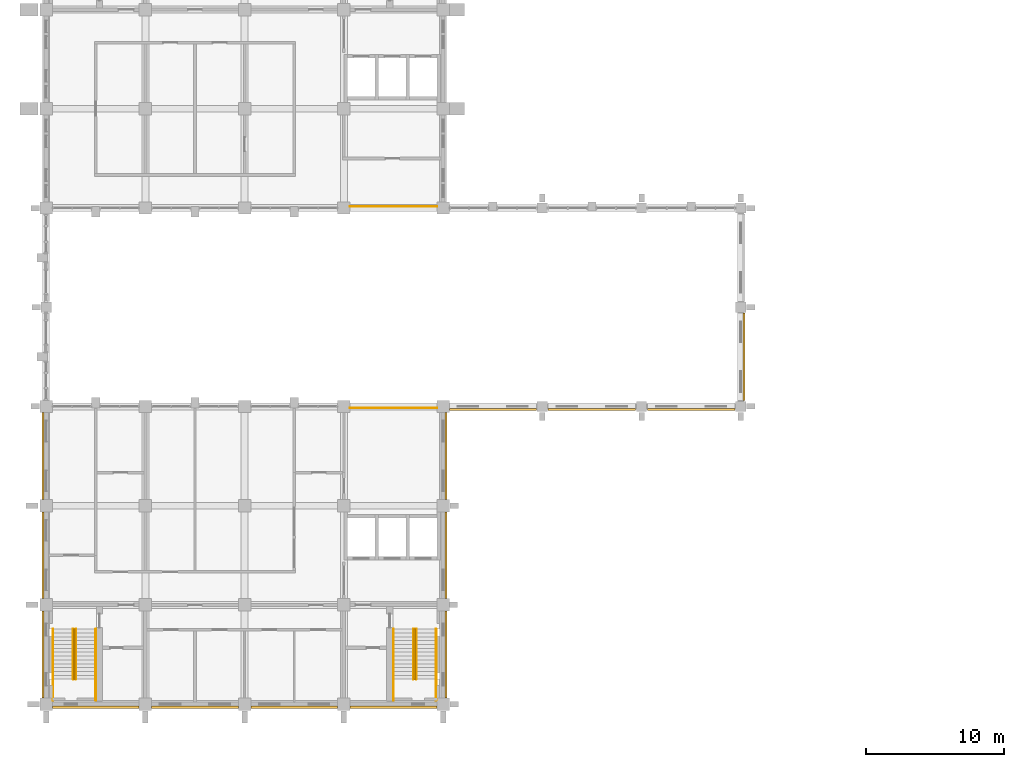
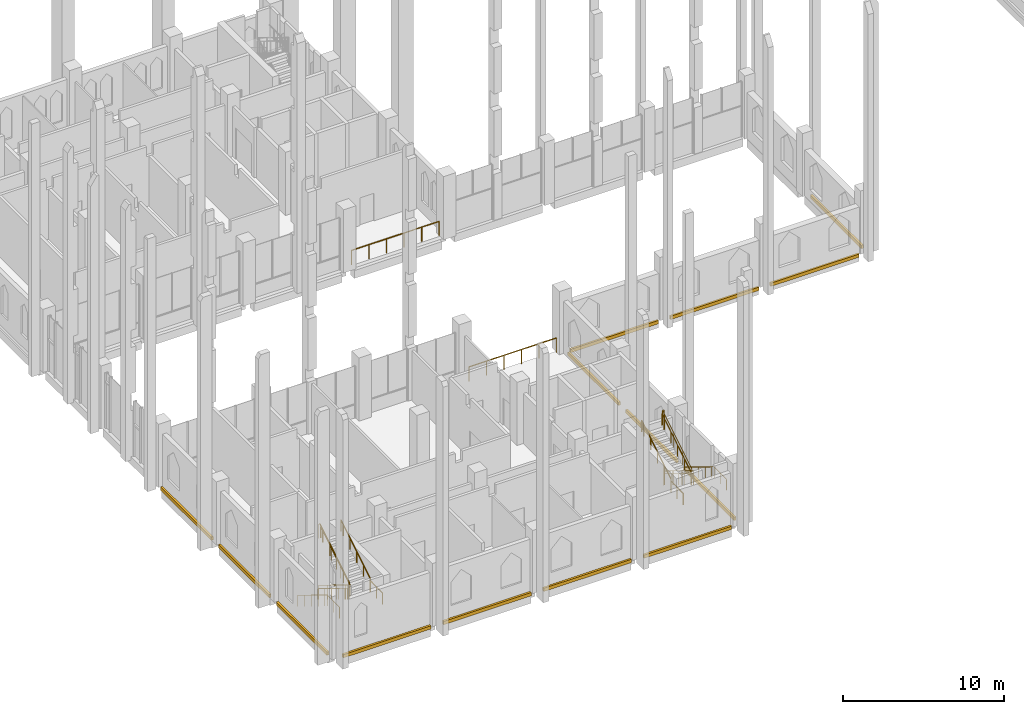
# One storey, part 38 of 40: 14 coverings, 12 railings.
"""IFC4 building model written with IfcOpenShell, lengths in metres."""

from ifc_helpers import new_model, si_unit, direction, frame, origin, origin_2d, place, context, subcontext, project, spatial, rectangle, circle, extrude, material, type_object, element, save


model = new_model("IFC4")

# Units and contexts
model_context = context("Model", 3, precision=1e-05, world=origin(), true_north=direction((0.0, 1.0)))
body_context = subcontext(model_context, "Body", "Model", "MODEL_VIEW")
ifc_project = project(units=[si_unit("LENGTHUNIT", "METRE"), si_unit("AREAUNIT", "SQUARE_METRE"), si_unit("VOLUMEUNIT", "CUBIC_METRE"), si_unit("PLANEANGLEUNIT", "RADIAN"), si_unit("MASSUNIT", "GRAM", prefix="KILO")], contexts=[model_context])

# Site, building, storey
site_placement = place(None, origin())
site = spatial("IfcSite", under=ifc_project, at=site_placement, CompositionType="ELEMENT")
building_placement = place(site_placement, origin())
building = spatial("IfcBuilding", under=site, at=building_placement, Name="Silangan Lancet Faculty of Sciences", CompositionType="ELEMENT")
storey_placement = place(building_placement, frame((0.0, 0.0, 21.60009765625)))
storey = spatial("IfcBuildingStorey", under=building, at=storey_placement, Name="L04", CompositionType="ELEMENT", Elevation=21.60009765625)

# Railings
ifc_material_1 = material(Name="Steel balustrade", Category="steel")
railing_type_1 = type_object("IfcRailingType", Name="ATRIUM GUARD 1100", PredefinedType="GUARDRAIL", material=ifc_material_1)
for number, where, name in (
    (1, (22.050048828125, 21.5, 0.0), "GUARD-ATR-L04-S7"),
    (2, (22.050048828125, 36.10009765625, 0.0), "GUARD-ATR-L04-N8"),
):
    element("IfcRailing", number, at=place(storey_placement, frame(where)), inside=storey, type_object=railing_type_1, Name=name, PredefinedType="GUARDRAIL", context=body_context, shape_type="SweptSolid", body=[
        extrude(circle(Radius=0.02392578125, at=origin_2d()), frame((0.0, 0.0, 1.076171875), z_axis=(1.0, 0.0, 0.0), x_axis=(0.0, 1.0, 0.0)), (0.0, 0.0, 1.0), 6.300048828125),
        extrude(circle(Radius=0.02099609375, at=origin_2d()), origin(), (0.0, 0.0, 1.0), 1.052001953125),
        extrude(circle(Radius=0.02099609375, at=origin_2d()), frame((1.260009765625, 0.0, 0.0)), (0.0, 0.0, 1.0), 1.052001953125),
        extrude(circle(Radius=0.02099609375, at=origin_2d()), frame((2.52001953125, 0.0, 0.0)), (0.0, 0.0, 1.0), 1.052001953125),
        extrude(circle(Radius=0.02099609375, at=origin_2d()), frame((3.780029296875, 0.0, 0.0)), (0.0, 0.0, 1.0), 1.052001953125),
        extrude(circle(Radius=0.02099609375, at=origin_2d()), frame((5.0400390625, 0.0, 0.0)), (0.0, 0.0, 1.0), 1.052001953125),
        extrude(circle(Radius=0.02099609375, at=origin_2d()), frame((6.300048828125, 0.0, 0.0)), (0.0, 0.0, 1.0), 1.052001953125),
    ])

# Coverings
ifc_material_2 = material(Name="Concrete C40/50 precast", Category="concrete")
covering_type = type_object("IfcCoveringType", Name="SC1 Precast string course 250 x 150", PredefinedType="CLADDING", material=ifc_material_2)
covering_1_placement = place(storey_placement, frame((50.625, 25.199951171875, -0.25), z_axis=(0.0, 0.0, 1.0), x_axis=(1.0, 0.0, 0.0)))
element("IfcCovering", 3, at=covering_1_placement, inside=storey, type_object=covering_type, Name="SC-L04-E-NAVE-00", PredefinedType="CLADDING", context=body_context, shape_type="SweptSolid", body=[
    extrude(rectangle(XDim=0.14990234375, YDim=6.35009765625, at=origin_2d()), origin(), (0.0, 0.0, 1.0), 0.25),
])
for number, where, z_axis, x_axis, name in (
    (4, (29.02490234375, 3.60009765625, -0.25), (0.0, 0.0, 1.0), (1.0, 0.0, 0.0), "SC-L04-E-ST-00"),
    (5, (29.02490234375, 10.800048828125, -0.25), (0.0, 0.0, 1.0), (1.0, 0.0, 0.0), "SC-L04-E-ST-01"),
    (6, (29.02490234375, 18.0, -0.25), (0.0, 0.0, 1.0), (1.0, 0.0, 0.0), "SC-L04-E-ST-02"),
):
    element("IfcCovering", number, at=place(storey_placement, frame(where, z_axis=z_axis, x_axis=x_axis)), inside=storey, type_object=covering_type, Name=name, PredefinedType="CLADDING", context=body_context, shape_type="SweptSolid", body=[
        extrude(rectangle(XDim=0.14990234375, YDim=6.300048828125, at=origin_2d()), origin(), (0.0, 0.0, 1.0), 0.25),
    ])
covering_2_placement = place(storey_placement, frame((32.41259765625, 21.375, -0.25), z_axis=(0.0, 0.0, 1.0), x_axis=(1.0, 0.0, 0.0)))
element("IfcCovering", 7, at=covering_2_placement, inside=storey, type_object=covering_type, Name="SC-L04-S-NAVE-CL-00", PredefinedType="CLADDING", context=body_context, shape_type="SweptSolid", body=[
    extrude(rectangle(XDim=6.324951171875, YDim=0.14990234375, at=origin_2d()), origin(), (0.0, 0.0, 1.0), 0.25),
])
for number, where, z_axis, x_axis, name in (
    (8, (39.60009765625, 21.375, -0.25), (0.0, 0.0, 1.0), (1.0, 0.0, 0.0), "SC-L04-S-NAVE-CL-01"),
    (9, (46.800048828125, 21.375, -0.25), (0.0, 0.0, 1.0), (1.0, 0.0, 0.0), "SC-L04-S-NAVE-CL-02"),
):
    element("IfcCovering", number, at=place(storey_placement, frame(where, z_axis=z_axis, x_axis=x_axis)), inside=storey, type_object=covering_type, Name=name, PredefinedType="CLADDING", context=body_context, shape_type="SweptSolid", body=[
        extrude(rectangle(XDim=6.35009765625, YDim=0.14990234375, at=origin_2d()), origin(), (0.0, 0.0, 1.0), 0.25),
    ])
for number, where, z_axis, x_axis, name in (
    (10, (3.60009765625, -0.22509765625, -0.25), (0.0, 0.0, 1.0), (1.0, 0.0, 0.0), "SC-L04-S-ST-00"),
    (11, (10.800048828125, -0.22509765625, -0.25), (0.0, 0.0, 1.0), (1.0, 0.0, 0.0), "SC-L04-S-ST-01"),
    (12, (18.0, -0.22509765625, -0.25), (0.0, 0.0, 1.0), (1.0, 0.0, 0.0), "SC-L04-S-ST-02"),
    (13, (25.199951171875, -0.22509765625, -0.25), (0.0, 0.0, 1.0), (1.0, 0.0, 0.0), "SC-L04-S-ST-03"),
):
    element("IfcCovering", number, at=place(storey_placement, frame(where, z_axis=z_axis, x_axis=x_axis)), inside=storey, type_object=covering_type, Name=name, PredefinedType="CLADDING", context=body_context, shape_type="SweptSolid", body=[
        extrude(rectangle(XDim=6.300048828125, YDim=0.14990234375, at=origin_2d()), origin(), (0.0, 0.0, 1.0), 0.25),
    ])
for number, where, z_axis, x_axis, name in (
    (14, (-0.22509765625, 3.60009765625, -0.25), (0.0, 0.0, 1.0), (1.0, 0.0, 0.0), "SC-L04-W-ST-00"),
    (15, (-0.22509765625, 10.800048828125, -0.25), (0.0, 0.0, 1.0), (1.0, 0.0, 0.0), "SC-L04-W-ST-01"),
    (16, (-0.22509765625, 18.0, -0.25), (0.0, 0.0, 1.0), (1.0, 0.0, 0.0), "SC-L04-W-ST-02"),
):
    element("IfcCovering", number, at=place(storey_placement, frame(where, z_axis=z_axis, x_axis=x_axis)), inside=storey, type_object=covering_type, Name=name, PredefinedType="CLADDING", context=body_context, shape_type="SweptSolid", body=[
        extrude(rectangle(XDim=0.14990234375, YDim=6.300048828125, at=origin_2d()), origin(), (0.0, 0.0, 1.0), 0.25),
    ])

# Railings
ifc_material_3 = material(Name="Steel balustrade", Category="steel")
railing_type_2 = type_object("IfcRailingType", Name="STAIR GUARD 1100", PredefinedType="GUARDRAIL", material=ifc_material_3)
railing_1_placement = place(storey_placement, frame((2.0, 5.449951171875, 0.17138671875)))
element("IfcRailing", 17, at=railing_1_placement, inside=storey, type_object=railing_type_2, Name="GUARD-ST-A-L04", PredefinedType="GUARDRAIL", context=body_context, shape_type="SweptSolid", body=[
    extrude(circle(Radius=0.02392578125, at=origin_2d()), frame((0.0, 0.0, 1.076171875), z_axis=(0.0, -0.852881719064, 0.522104178577), x_axis=(1.0, 0.0, 0.0)), (0.0, 0.0, 1.0), 1.31298828125),
    extrude(circle(Radius=0.02392578125, at=origin_2d()), frame((0.0, -1.119873046875, 1.76171875), z_axis=(0.0, -0.852849614702, 0.52215661894), x_axis=(1.0, 0.0, 0.0)), (0.0, 0.0, 1.0), 1.3134765625),
    extrude(circle(Radius=0.02392578125, at=origin_2d()), frame((0.0, -2.239990234375, 2.447265625), z_axis=(0.0, -0.852798921012, 0.522239409008), x_axis=(1.0, 0.0, 0.0)), (0.0, 0.0, 1.0), 1.313232421875),
    extrude(circle(Radius=0.02392578125, at=origin_2d()), frame((0.0, -3.35986328125, 3.13330078125), z_axis=(0.0, -0.852932391421, 0.522021393877), x_axis=(1.0, 0.0, 0.0)), (0.0, 0.0, 1.0), 0.328369140625),
    extrude(circle(Radius=0.02392578125, at=origin_2d()), frame((0.0, -3.639892578125, 3.3046875), z_axis=(1.0, 0.0, 0.0), x_axis=(0.0, 1.0, 0.0)), (0.0, 0.0, 1.0), 0.10009765625),
    extrude(circle(Radius=0.02392578125, at=origin_2d()), frame((0.10009765625, -3.639892578125, 3.3046875), z_axis=(0.0, 0.0, 1.0), x_axis=(1.0, 0.0, 0.0)), (0.0, 0.0, 1.0), 0.17138671875),
    extrude(circle(Radius=0.02392578125, at=origin_2d()), frame((0.10009765625, -3.639892578125, 3.47607421875), z_axis=(0.0, 0.852798921012, 0.522239409008), x_axis=(-1.0, 0.0, 0.0)), (0.0, 0.0, 1.0), 1.313232421875),
    extrude(circle(Radius=0.02392578125, at=origin_2d()), frame((0.10009765625, -2.52001953125, 4.16162109375), z_axis=(0.0, 0.852849614702, 0.52215661894), x_axis=(-1.0, 0.0, 0.0)), (0.0, 0.0, 1.0), 1.3134765625),
    extrude(circle(Radius=0.02392578125, at=origin_2d()), frame((0.10009765625, -1.39990234375, 4.84765625), z_axis=(0.0, 0.852881719064, 0.522104178577), x_axis=(-1.0, 0.0, 0.0)), (0.0, 0.0, 1.0), 1.31298828125),
    extrude(circle(Radius=0.02392578125, at=origin_2d()), frame((0.10009765625, -0.280029296875, 5.533203125), z_axis=(0.0, 0.852932391421, 0.522021393877), x_axis=(-1.0, 0.0, 0.0)), (0.0, 0.0, 1.0), 0.328369140625),
    extrude(circle(Radius=0.02392578125, at=origin_2d()), frame((0.10009765625, 0.0, 5.70458984375), z_axis=(-1.0, 0.0, 0.0), x_axis=(0.0, -1.0, 0.0)), (0.0, 0.0, 1.0), 0.10009765625),
    extrude(circle(Radius=0.02099609375, at=origin_2d()), origin(), (0.0, 0.0, 1.0), 1.052001953125),
    extrude(circle(Radius=0.02099609375, at=origin_2d()), frame((0.0, -1.119873046875, 0.685546875)), (0.0, 0.0, 1.0), 1.052001953125),
    extrude(circle(Radius=0.02099609375, at=origin_2d()), frame((0.0, -2.239990234375, 1.371337890625)), (0.0, 0.0, 1.0), 1.052001953125),
    extrude(circle(Radius=0.02099609375, at=origin_2d()), frame((0.0, -3.35986328125, 2.05712890625)), (0.0, 0.0, 1.0), 1.052001953125),
    extrude(circle(Radius=0.02099609375, at=origin_2d()), frame((0.0, -3.639892578125, 2.228515625)), (0.0, 0.0, 1.0), 1.052001953125),
    extrude(circle(Radius=0.02099609375, at=origin_2d()), frame((0.10009765625, -3.639892578125, 2.228515625)), (0.0, 0.0, 1.0), 1.052001953125),
    extrude(circle(Radius=0.02099609375, at=origin_2d()), frame((0.10009765625, -3.639892578125, 2.39990234375)), (0.0, 0.0, 1.0), 1.052001953125),
    extrude(circle(Radius=0.02099609375, at=origin_2d()), frame((0.10009765625, -2.52001953125, 3.085693359375)), (0.0, 0.0, 1.0), 1.052001953125),
    extrude(circle(Radius=0.02099609375, at=origin_2d()), frame((0.10009765625, -1.39990234375, 3.771484375)), (0.0, 0.0, 1.0), 1.052001953125),
    extrude(circle(Radius=0.02099609375, at=origin_2d()), frame((0.10009765625, -0.280029296875, 4.45703125)), (0.0, 0.0, 1.0), 1.052001953125),
    extrude(circle(Radius=0.02099609375, at=origin_2d()), frame((0.10009765625, 0.0, 4.62841796875)), (0.0, 0.0, 1.0), 1.052001953125),
    extrude(circle(Radius=0.02099609375, at=origin_2d()), frame((0.0, 0.0, 4.62841796875)), (0.0, 0.0, 1.0), 1.052001953125),
])
railing_2_placement = place(storey_placement, frame((26.800048828125, 5.449951171875, 0.17138671875)))
element("IfcRailing", 18, at=railing_2_placement, inside=storey, type_object=railing_type_2, Name="GUARD-ST-B-L04", PredefinedType="GUARDRAIL", context=body_context, shape_type="SweptSolid", body=[
    extrude(circle(Radius=0.02392578125, at=origin_2d()), frame((0.0, 0.0, 1.076171875), z_axis=(0.0, -0.852881719064, 0.522104178577), x_axis=(1.0, 0.0, 0.0)), (0.0, 0.0, 1.0), 1.31298828125),
    extrude(circle(Radius=0.02392578125, at=origin_2d()), frame((0.0, -1.119873046875, 1.76171875), z_axis=(0.0, -0.852849614702, 0.52215661894), x_axis=(1.0, 0.0, 0.0)), (0.0, 0.0, 1.0), 1.3134765625),
    extrude(circle(Radius=0.02392578125, at=origin_2d()), frame((0.0, -2.239990234375, 2.447265625), z_axis=(0.0, -0.852798921012, 0.522239409008), x_axis=(1.0, 0.0, 0.0)), (0.0, 0.0, 1.0), 1.313232421875),
    extrude(circle(Radius=0.02392578125, at=origin_2d()), frame((0.0, -3.35986328125, 3.13330078125), z_axis=(0.0, -0.852932391421, 0.522021393877), x_axis=(1.0, 0.0, 0.0)), (0.0, 0.0, 1.0), 0.328369140625),
    extrude(circle(Radius=0.02392578125, at=origin_2d()), frame((0.0, -3.639892578125, 3.3046875), z_axis=(-1.0, 0.0, 0.0), x_axis=(0.0, -1.0, 0.0)), (0.0, 0.0, 1.0), 0.10009765625),
    extrude(circle(Radius=0.02392578125, at=origin_2d()), frame((-0.10009765625, -3.639892578125, 3.3046875), z_axis=(0.0, 0.0, 1.0), x_axis=(1.0, 0.0, 0.0)), (0.0, 0.0, 1.0), 0.17138671875),
    extrude(circle(Radius=0.02392578125, at=origin_2d()), frame((-0.10009765625, -3.639892578125, 3.47607421875), z_axis=(0.0, 0.852798921012, 0.522239409008), x_axis=(-1.0, 0.0, 0.0)), (0.0, 0.0, 1.0), 1.313232421875),
    extrude(circle(Radius=0.02392578125, at=origin_2d()), frame((-0.10009765625, -2.52001953125, 4.16162109375), z_axis=(0.0, 0.852849614702, 0.52215661894), x_axis=(-1.0, 0.0, 0.0)), (0.0, 0.0, 1.0), 1.3134765625),
    extrude(circle(Radius=0.02392578125, at=origin_2d()), frame((-0.10009765625, -1.39990234375, 4.84765625), z_axis=(0.0, 0.852881719064, 0.522104178577), x_axis=(-1.0, 0.0, 0.0)), (0.0, 0.0, 1.0), 1.31298828125),
    extrude(circle(Radius=0.02392578125, at=origin_2d()), frame((-0.10009765625, -0.280029296875, 5.533203125), z_axis=(0.0, 0.852932391421, 0.522021393877), x_axis=(-1.0, 0.0, 0.0)), (0.0, 0.0, 1.0), 0.328369140625),
    extrude(circle(Radius=0.02392578125, at=origin_2d()), frame((-0.10009765625, 0.0, 5.70458984375), z_axis=(1.0, 0.0, 0.0), x_axis=(0.0, 1.0, 0.0)), (0.0, 0.0, 1.0), 0.10009765625),
    extrude(circle(Radius=0.02099609375, at=origin_2d()), origin(), (0.0, 0.0, 1.0), 1.052001953125),
    extrude(circle(Radius=0.02099609375, at=origin_2d()), frame((0.0, -1.119873046875, 0.685546875)), (0.0, 0.0, 1.0), 1.052001953125),
    extrude(circle(Radius=0.02099609375, at=origin_2d()), frame((0.0, -2.239990234375, 1.371337890625)), (0.0, 0.0, 1.0), 1.052001953125),
    extrude(circle(Radius=0.02099609375, at=origin_2d()), frame((0.0, -3.35986328125, 2.05712890625)), (0.0, 0.0, 1.0), 1.052001953125),
    extrude(circle(Radius=0.02099609375, at=origin_2d()), frame((0.0, -3.639892578125, 2.228515625)), (0.0, 0.0, 1.0), 1.052001953125),
    extrude(circle(Radius=0.02099609375, at=origin_2d()), frame((-0.10009765625, -3.639892578125, 2.228515625)), (0.0, 0.0, 1.0), 1.052001953125),
    extrude(circle(Radius=0.02099609375, at=origin_2d()), frame((-0.10009765625, -3.639892578125, 2.39990234375)), (0.0, 0.0, 1.0), 1.052001953125),
    extrude(circle(Radius=0.02099609375, at=origin_2d()), frame((-0.10009765625, -2.52001953125, 3.085693359375)), (0.0, 0.0, 1.0), 1.052001953125),
    extrude(circle(Radius=0.02099609375, at=origin_2d()), frame((-0.10009765625, -1.39990234375, 3.771484375)), (0.0, 0.0, 1.0), 1.052001953125),
    extrude(circle(Radius=0.02099609375, at=origin_2d()), frame((-0.10009765625, -0.280029296875, 4.45703125)), (0.0, 0.0, 1.0), 1.052001953125),
    extrude(circle(Radius=0.02099609375, at=origin_2d()), frame((-0.10009765625, 0.0, 4.62841796875)), (0.0, 0.0, 1.0), 1.052001953125),
    extrude(circle(Radius=0.02099609375, at=origin_2d()), frame((0.0, 0.0, 4.62841796875)), (0.0, 0.0, 1.0), 1.052001953125),
])
ifc_material_4 = material(Name="Stainless steel", Category="steel")
railing_type_3 = type_object("IfcRailingType", Name="STAIR HANDRAIL 865", PredefinedType="HANDRAIL", material=ifc_material_4)
railing_3_placement = place(storey_placement, frame((0.5, 5.449951171875, 0.17138671875)))
element("IfcRailing", 19, at=railing_3_placement, inside=storey, type_object=railing_type_3, Name="HANDRAIL-ST-A-L04-O1", PredefinedType="HANDRAIL", context=body_context, shape_type="SweptSolid", body=[
    extrude(circle(Radius=0.02392578125, at=origin_2d()), frame((0.0, 0.0, 0.8408203125), z_axis=(0.0, -0.85286482292, 0.522131778218), x_axis=(1.0, 0.0, 0.0)), (0.0, 0.0, 1.0), 0.984619140625),
    extrude(circle(Radius=0.02392578125, at=origin_2d()), frame((0.0, -0.83984375, 1.35498046875), z_axis=(0.0, -0.852822021269, 0.522201685212), x_axis=(1.0, 0.0, 0.0)), (0.0, 0.0, 1.0), 0.985107421875),
    extrude(circle(Radius=0.02392578125, at=origin_2d()), frame((0.0, -1.679931640625, 1.86962890625), z_axis=(0.0, -0.852932391421, 0.522021393877), x_axis=(1.0, 0.0, 0.0)), (0.0, 0.0, 1.0), 0.98486328125),
    extrude(circle(Radius=0.02392578125, at=origin_2d()), frame((0.0, -2.52001953125, 2.3837890625), z_axis=(0.0, -0.852754414843, 0.522312079092), x_axis=(1.0, 0.0, 0.0)), (0.0, 0.0, 1.0), 0.98486328125),
    extrude(circle(Radius=0.02392578125, at=origin_2d()), frame((0.0, -3.35986328125, 2.89794921875), z_axis=(0.0, -0.852932391421, 0.522021393877), x_axis=(1.0, 0.0, 0.0)), (0.0, 0.0, 1.0), 0.328369140625),
    extrude(circle(Radius=0.02392578125, at=origin_2d()), frame((0.0, -3.639892578125, 3.0693359375), z_axis=(0.0, -1.0, 0.0), x_axis=(1.0, 0.0, 0.0)), (0.0, 0.0, 1.0), 1.53515625),
    extrude(circle(Radius=0.02099609375, at=origin_2d()), origin(), (0.0, 0.0, 1.0), 0.81689453125),
    extrude(circle(Radius=0.02099609375, at=origin_2d()), frame((0.0, -0.83984375, 0.51416015625)), (0.0, 0.0, 1.0), 0.81689453125),
    extrude(circle(Radius=0.02099609375, at=origin_2d()), frame((0.0, -1.679931640625, 1.028564453125)), (0.0, 0.0, 1.0), 0.81689453125),
    extrude(circle(Radius=0.02099609375, at=origin_2d()), frame((0.0, -2.52001953125, 1.542724609375)), (0.0, 0.0, 1.0), 0.81689453125),
    extrude(circle(Radius=0.02099609375, at=origin_2d()), frame((0.0, -3.35986328125, 2.05712890625)), (0.0, 0.0, 1.0), 0.81689453125),
    extrude(circle(Radius=0.02099609375, at=origin_2d()), frame((0.0, -3.639892578125, 2.228515625)), (0.0, 0.0, 1.0), 0.81689453125),
    extrude(circle(Radius=0.02099609375, at=origin_2d()), frame((0.0, -4.407470703125, 2.228515625)), (0.0, 0.0, 1.0), 0.81689453125),
    extrude(circle(Radius=0.02099609375, at=origin_2d()), frame((0.0, -5.175048828125, 2.228515625)), (0.0, 0.0, 1.0), 0.81689453125),
])
railing_4_placement = place(storey_placement, frame((1.949951171875, 5.449951171875, 0.17138671875)))
element("IfcRailing", 20, at=railing_4_placement, inside=storey, type_object=railing_type_3, Name="HANDRAIL-ST-A-L04-I1", PredefinedType="HANDRAIL", context=body_context, shape_type="SweptSolid", body=[
    extrude(circle(Radius=0.02392578125, at=origin_2d()), frame((0.0, 0.0, 0.8408203125), z_axis=(0.0, -0.85286482292, 0.522131778218), x_axis=(1.0, 0.0, 0.0)), (0.0, 0.0, 1.0), 0.984619140625),
    extrude(circle(Radius=0.02392578125, at=origin_2d()), frame((0.0, -0.83984375, 1.35498046875), z_axis=(0.0, -0.852822021269, 0.522201685212), x_axis=(1.0, 0.0, 0.0)), (0.0, 0.0, 1.0), 0.985107421875),
    extrude(circle(Radius=0.02392578125, at=origin_2d()), frame((0.0, -1.679931640625, 1.86962890625), z_axis=(0.0, -0.852932391421, 0.522021393877), x_axis=(1.0, 0.0, 0.0)), (0.0, 0.0, 1.0), 0.98486328125),
    extrude(circle(Radius=0.02392578125, at=origin_2d()), frame((0.0, -2.52001953125, 2.3837890625), z_axis=(0.0, -0.852754414843, 0.522312079092), x_axis=(1.0, 0.0, 0.0)), (0.0, 0.0, 1.0), 0.98486328125),
    extrude(circle(Radius=0.02392578125, at=origin_2d()), frame((0.0, -3.35986328125, 2.89794921875), z_axis=(0.0, -0.852932391421, 0.522021393877), x_axis=(1.0, 0.0, 0.0)), (0.0, 0.0, 1.0), 0.328369140625),
    extrude(circle(Radius=0.02099609375, at=origin_2d()), origin(), (0.0, 0.0, 1.0), 0.81689453125),
    extrude(circle(Radius=0.02099609375, at=origin_2d()), frame((0.0, -0.83984375, 0.51416015625)), (0.0, 0.0, 1.0), 0.81689453125),
    extrude(circle(Radius=0.02099609375, at=origin_2d()), frame((0.0, -1.679931640625, 1.028564453125)), (0.0, 0.0, 1.0), 0.81689453125),
    extrude(circle(Radius=0.02099609375, at=origin_2d()), frame((0.0, -2.52001953125, 1.542724609375)), (0.0, 0.0, 1.0), 0.81689453125),
    extrude(circle(Radius=0.02099609375, at=origin_2d()), frame((0.0, -3.35986328125, 2.05712890625)), (0.0, 0.0, 1.0), 0.81689453125),
    extrude(circle(Radius=0.02099609375, at=origin_2d()), frame((0.0, -3.639892578125, 2.228515625)), (0.0, 0.0, 1.0), 0.81689453125),
])
railing_5_placement = place(storey_placement, frame((3.60009765625, 0.27490234375, 2.39990234375)))
element("IfcRailing", 21, at=railing_5_placement, inside=storey, type_object=railing_type_3, Name="HANDRAIL-ST-A-L04-O2", PredefinedType="HANDRAIL", context=body_context, shape_type="SweptSolid", body=[
    extrude(circle(Radius=0.02392578125, at=origin_2d()), frame((0.0, 0.0, 0.8408203125), z_axis=(0.0, 1.0, 0.0), x_axis=(-1.0, 0.0, 0.0)), (0.0, 0.0, 1.0), 1.53515625),
    extrude(circle(Radius=0.02392578125, at=origin_2d()), frame((0.0, 1.53515625, 0.8408203125), z_axis=(0.0, 0.0, 1.0), x_axis=(1.0, 0.0, 0.0)), (0.0, 0.0, 1.0), 0.17138671875),
    extrude(circle(Radius=0.02392578125, at=origin_2d()), frame((0.0, 1.53515625, 1.01220703125), z_axis=(0.0, 0.852754414843, 0.522312079092), x_axis=(-1.0, 0.0, 0.0)), (0.0, 0.0, 1.0), 0.98486328125),
    extrude(circle(Radius=0.02392578125, at=origin_2d()), frame((0.0, 2.375, 1.52685546875), z_axis=(0.0, 0.852932391421, 0.522021393877), x_axis=(-1.0, 0.0, 0.0)), (0.0, 0.0, 1.0), 0.98486328125),
    extrude(circle(Radius=0.02392578125, at=origin_2d()), frame((0.0, 3.215087890625, 2.041015625), z_axis=(0.0, 0.852822021269, 0.522201685212), x_axis=(-1.0, 0.0, 0.0)), (0.0, 0.0, 1.0), 0.985107421875),
    extrude(circle(Radius=0.02392578125, at=origin_2d()), frame((0.0, 4.05517578125, 2.55517578125), z_axis=(0.0, 0.85286482292, 0.522131778218), x_axis=(-1.0, 0.0, 0.0)), (0.0, 0.0, 1.0), 0.984619140625),
    extrude(circle(Radius=0.02392578125, at=origin_2d()), frame((0.0, 4.89501953125, 3.0693359375), z_axis=(0.0, 0.852932391421, 0.522021393877), x_axis=(-1.0, 0.0, 0.0)), (0.0, 0.0, 1.0), 0.328369140625),
    extrude(circle(Radius=0.02099609375, at=origin_2d()), origin(), (0.0, 0.0, 1.0), 0.81689453125),
    extrude(circle(Radius=0.02099609375, at=origin_2d()), frame((0.0, 0.767578125, 0.0)), (0.0, 0.0, 1.0), 0.81689453125),
    extrude(circle(Radius=0.02099609375, at=origin_2d()), frame((0.0, 1.53515625, 0.0)), (0.0, 0.0, 1.0), 0.81689453125),
    extrude(circle(Radius=0.02099609375, at=origin_2d()), frame((0.0, 1.53515625, 0.17138671875)), (0.0, 0.0, 1.0), 0.81689453125),
    extrude(circle(Radius=0.02099609375, at=origin_2d()), frame((0.0, 2.375, 0.685791015625)), (0.0, 0.0, 1.0), 0.81689453125),
    extrude(circle(Radius=0.02099609375, at=origin_2d()), frame((0.0, 3.215087890625, 1.199951171875)), (0.0, 0.0, 1.0), 0.81689453125),
    extrude(circle(Radius=0.02099609375, at=origin_2d()), frame((0.0, 4.05517578125, 1.71435546875)), (0.0, 0.0, 1.0), 0.81689453125),
    extrude(circle(Radius=0.02099609375, at=origin_2d()), frame((0.0, 4.89501953125, 2.228515625)), (0.0, 0.0, 1.0), 0.81689453125),
    extrude(circle(Radius=0.02099609375, at=origin_2d()), frame((0.0, 5.175048828125, 2.39990234375)), (0.0, 0.0, 1.0), 0.81689453125),
])
railing_6_placement = place(storey_placement, frame((2.14990234375, 1.81005859375, 2.5712890625)))
element("IfcRailing", 22, at=railing_6_placement, inside=storey, type_object=railing_type_3, Name="HANDRAIL-ST-A-L04-I2", PredefinedType="HANDRAIL", context=body_context, shape_type="SweptSolid", body=[
    extrude(circle(Radius=0.02392578125, at=origin_2d()), frame((0.0, 0.0, 0.8408203125), z_axis=(0.0, 0.852754414843, 0.522312079092), x_axis=(-1.0, 0.0, 0.0)), (0.0, 0.0, 1.0), 0.98486328125),
    extrude(circle(Radius=0.02392578125, at=origin_2d()), frame((0.0, 0.83984375, 1.35546875), z_axis=(0.0, 0.852932391421, 0.522021393877), x_axis=(-1.0, 0.0, 0.0)), (0.0, 0.0, 1.0), 0.98486328125),
    extrude(circle(Radius=0.02392578125, at=origin_2d()), frame((0.0, 1.679931640625, 1.86962890625), z_axis=(0.0, 0.852822021269, 0.522201685212), x_axis=(-1.0, 0.0, 0.0)), (0.0, 0.0, 1.0), 0.985107421875),
    extrude(circle(Radius=0.02392578125, at=origin_2d()), frame((0.0, 2.52001953125, 2.3837890625), z_axis=(0.0, 0.85286482292, 0.522131778218), x_axis=(-1.0, 0.0, 0.0)), (0.0, 0.0, 1.0), 0.984619140625),
    extrude(circle(Radius=0.02392578125, at=origin_2d()), frame((0.0, 3.35986328125, 2.89794921875), z_axis=(0.0, 0.852932391421, 0.522021393877), x_axis=(-1.0, 0.0, 0.0)), (0.0, 0.0, 1.0), 0.328369140625),
    extrude(circle(Radius=0.02099609375, at=origin_2d()), origin(), (0.0, 0.0, 1.0), 0.81689453125),
    extrude(circle(Radius=0.02099609375, at=origin_2d()), frame((0.0, 0.83984375, 0.514404296875)), (0.0, 0.0, 1.0), 0.81689453125),
    extrude(circle(Radius=0.02099609375, at=origin_2d()), frame((0.0, 1.679931640625, 1.028564453125)), (0.0, 0.0, 1.0), 0.81689453125),
    extrude(circle(Radius=0.02099609375, at=origin_2d()), frame((0.0, 2.52001953125, 1.54296875)), (0.0, 0.0, 1.0), 0.81689453125),
    extrude(circle(Radius=0.02099609375, at=origin_2d()), frame((0.0, 3.35986328125, 2.05712890625)), (0.0, 0.0, 1.0), 0.81689453125),
    extrude(circle(Radius=0.02099609375, at=origin_2d()), frame((0.0, 3.639892578125, 2.228515625)), (0.0, 0.0, 1.0), 0.81689453125),
])
railing_7_placement = place(storey_placement, frame((28.300048828125, 5.449951171875, 0.17138671875)))
element("IfcRailing", 23, at=railing_7_placement, inside=storey, type_object=railing_type_3, Name="HANDRAIL-ST-B-L04-O1", PredefinedType="HANDRAIL", context=body_context, shape_type="SweptSolid", body=[
    extrude(circle(Radius=0.02392578125, at=origin_2d()), frame((0.0, 0.0, 0.8408203125), z_axis=(0.0, -0.85286482292, 0.522131778218), x_axis=(1.0, 0.0, 0.0)), (0.0, 0.0, 1.0), 0.984619140625),
    extrude(circle(Radius=0.02392578125, at=origin_2d()), frame((0.0, -0.83984375, 1.35498046875), z_axis=(0.0, -0.852822021269, 0.522201685212), x_axis=(1.0, 0.0, 0.0)), (0.0, 0.0, 1.0), 0.985107421875),
    extrude(circle(Radius=0.02392578125, at=origin_2d()), frame((0.0, -1.679931640625, 1.86962890625), z_axis=(0.0, -0.852932391421, 0.522021393877), x_axis=(1.0, 0.0, 0.0)), (0.0, 0.0, 1.0), 0.98486328125),
    extrude(circle(Radius=0.02392578125, at=origin_2d()), frame((0.0, -2.52001953125, 2.3837890625), z_axis=(0.0, -0.852754414843, 0.522312079092), x_axis=(1.0, 0.0, 0.0)), (0.0, 0.0, 1.0), 0.98486328125),
    extrude(circle(Radius=0.02392578125, at=origin_2d()), frame((0.0, -3.35986328125, 2.89794921875), z_axis=(0.0, -0.852932391421, 0.522021393877), x_axis=(1.0, 0.0, 0.0)), (0.0, 0.0, 1.0), 0.328369140625),
    extrude(circle(Radius=0.02392578125, at=origin_2d()), frame((0.0, -3.639892578125, 3.0693359375), z_axis=(0.0, -1.0, 0.0), x_axis=(1.0, 0.0, 0.0)), (0.0, 0.0, 1.0), 1.53515625),
    extrude(circle(Radius=0.02099609375, at=origin_2d()), origin(), (0.0, 0.0, 1.0), 0.81689453125),
    extrude(circle(Radius=0.02099609375, at=origin_2d()), frame((0.0, -0.83984375, 0.51416015625)), (0.0, 0.0, 1.0), 0.81689453125),
    extrude(circle(Radius=0.02099609375, at=origin_2d()), frame((0.0, -1.679931640625, 1.028564453125)), (0.0, 0.0, 1.0), 0.81689453125),
    extrude(circle(Radius=0.02099609375, at=origin_2d()), frame((0.0, -2.52001953125, 1.542724609375)), (0.0, 0.0, 1.0), 0.81689453125),
    extrude(circle(Radius=0.02099609375, at=origin_2d()), frame((0.0, -3.35986328125, 2.05712890625)), (0.0, 0.0, 1.0), 0.81689453125),
    extrude(circle(Radius=0.02099609375, at=origin_2d()), frame((0.0, -3.639892578125, 2.228515625)), (0.0, 0.0, 1.0), 0.81689453125),
    extrude(circle(Radius=0.02099609375, at=origin_2d()), frame((0.0, -4.407470703125, 2.228515625)), (0.0, 0.0, 1.0), 0.81689453125),
    extrude(circle(Radius=0.02099609375, at=origin_2d()), frame((0.0, -5.175048828125, 2.228515625)), (0.0, 0.0, 1.0), 0.81689453125),
])
railing_8_placement = place(storey_placement, frame((26.85009765625, 5.449951171875, 0.17138671875)))
element("IfcRailing", 24, at=railing_8_placement, inside=storey, type_object=railing_type_3, Name="HANDRAIL-ST-B-L04-I1", PredefinedType="HANDRAIL", context=body_context, shape_type="SweptSolid", body=[
    extrude(circle(Radius=0.02392578125, at=origin_2d()), frame((0.0, 0.0, 0.8408203125), z_axis=(0.0, -0.85286482292, 0.522131778218), x_axis=(1.0, 0.0, 0.0)), (0.0, 0.0, 1.0), 0.984619140625),
    extrude(circle(Radius=0.02392578125, at=origin_2d()), frame((0.0, -0.83984375, 1.35498046875), z_axis=(0.0, -0.852822021269, 0.522201685212), x_axis=(1.0, 0.0, 0.0)), (0.0, 0.0, 1.0), 0.985107421875),
    extrude(circle(Radius=0.02392578125, at=origin_2d()), frame((0.0, -1.679931640625, 1.86962890625), z_axis=(0.0, -0.852932391421, 0.522021393877), x_axis=(1.0, 0.0, 0.0)), (0.0, 0.0, 1.0), 0.98486328125),
    extrude(circle(Radius=0.02392578125, at=origin_2d()), frame((0.0, -2.52001953125, 2.3837890625), z_axis=(0.0, -0.852754414843, 0.522312079092), x_axis=(1.0, 0.0, 0.0)), (0.0, 0.0, 1.0), 0.98486328125),
    extrude(circle(Radius=0.02392578125, at=origin_2d()), frame((0.0, -3.35986328125, 2.89794921875), z_axis=(0.0, -0.852932391421, 0.522021393877), x_axis=(1.0, 0.0, 0.0)), (0.0, 0.0, 1.0), 0.328369140625),
    extrude(circle(Radius=0.02099609375, at=origin_2d()), origin(), (0.0, 0.0, 1.0), 0.81689453125),
    extrude(circle(Radius=0.02099609375, at=origin_2d()), frame((0.0, -0.83984375, 0.51416015625)), (0.0, 0.0, 1.0), 0.81689453125),
    extrude(circle(Radius=0.02099609375, at=origin_2d()), frame((0.0, -1.679931640625, 1.028564453125)), (0.0, 0.0, 1.0), 0.81689453125),
    extrude(circle(Radius=0.02099609375, at=origin_2d()), frame((0.0, -2.52001953125, 1.542724609375)), (0.0, 0.0, 1.0), 0.81689453125),
    extrude(circle(Radius=0.02099609375, at=origin_2d()), frame((0.0, -3.35986328125, 2.05712890625)), (0.0, 0.0, 1.0), 0.81689453125),
    extrude(circle(Radius=0.02099609375, at=origin_2d()), frame((0.0, -3.639892578125, 2.228515625)), (0.0, 0.0, 1.0), 0.81689453125),
])
railing_9_placement = place(storey_placement, frame((25.199951171875, 0.27490234375, 2.39990234375)))
element("IfcRailing", 25, at=railing_9_placement, inside=storey, type_object=railing_type_3, Name="HANDRAIL-ST-B-L04-O2", PredefinedType="HANDRAIL", context=body_context, shape_type="SweptSolid", body=[
    extrude(circle(Radius=0.02392578125, at=origin_2d()), frame((0.0, 0.0, 0.8408203125), z_axis=(0.0, 1.0, 0.0), x_axis=(-1.0, 0.0, 0.0)), (0.0, 0.0, 1.0), 1.53515625),
    extrude(circle(Radius=0.02392578125, at=origin_2d()), frame((0.0, 1.53515625, 0.8408203125), z_axis=(0.0, 0.0, 1.0), x_axis=(1.0, 0.0, 0.0)), (0.0, 0.0, 1.0), 0.17138671875),
    extrude(circle(Radius=0.02392578125, at=origin_2d()), frame((0.0, 1.53515625, 1.01220703125), z_axis=(0.0, 0.852754414843, 0.522312079092), x_axis=(-1.0, 0.0, 0.0)), (0.0, 0.0, 1.0), 0.98486328125),
    extrude(circle(Radius=0.02392578125, at=origin_2d()), frame((0.0, 2.375, 1.52685546875), z_axis=(0.0, 0.852932391421, 0.522021393877), x_axis=(-1.0, 0.0, 0.0)), (0.0, 0.0, 1.0), 0.98486328125),
    extrude(circle(Radius=0.02392578125, at=origin_2d()), frame((0.0, 3.215087890625, 2.041015625), z_axis=(0.0, 0.852822021269, 0.522201685212), x_axis=(-1.0, 0.0, 0.0)), (0.0, 0.0, 1.0), 0.985107421875),
    extrude(circle(Radius=0.02392578125, at=origin_2d()), frame((0.0, 4.05517578125, 2.55517578125), z_axis=(0.0, 0.85286482292, 0.522131778218), x_axis=(-1.0, 0.0, 0.0)), (0.0, 0.0, 1.0), 0.984619140625),
    extrude(circle(Radius=0.02392578125, at=origin_2d()), frame((0.0, 4.89501953125, 3.0693359375), z_axis=(0.0, 0.852932391421, 0.522021393877), x_axis=(-1.0, 0.0, 0.0)), (0.0, 0.0, 1.0), 0.328369140625),
    extrude(circle(Radius=0.02099609375, at=origin_2d()), origin(), (0.0, 0.0, 1.0), 0.81689453125),
    extrude(circle(Radius=0.02099609375, at=origin_2d()), frame((0.0, 0.767578125, 0.0)), (0.0, 0.0, 1.0), 0.81689453125),
    extrude(circle(Radius=0.02099609375, at=origin_2d()), frame((0.0, 1.53515625, 0.0)), (0.0, 0.0, 1.0), 0.81689453125),
    extrude(circle(Radius=0.02099609375, at=origin_2d()), frame((0.0, 1.53515625, 0.17138671875)), (0.0, 0.0, 1.0), 0.81689453125),
    extrude(circle(Radius=0.02099609375, at=origin_2d()), frame((0.0, 2.375, 0.685791015625)), (0.0, 0.0, 1.0), 0.81689453125),
    extrude(circle(Radius=0.02099609375, at=origin_2d()), frame((0.0, 3.215087890625, 1.199951171875)), (0.0, 0.0, 1.0), 0.81689453125),
    extrude(circle(Radius=0.02099609375, at=origin_2d()), frame((0.0, 4.05517578125, 1.71435546875)), (0.0, 0.0, 1.0), 0.81689453125),
    extrude(circle(Radius=0.02099609375, at=origin_2d()), frame((0.0, 4.89501953125, 2.228515625)), (0.0, 0.0, 1.0), 0.81689453125),
    extrude(circle(Radius=0.02099609375, at=origin_2d()), frame((0.0, 5.175048828125, 2.39990234375)), (0.0, 0.0, 1.0), 0.81689453125),
])
railing_10_placement = place(storey_placement, frame((26.64990234375, 1.81005859375, 2.5712890625)))
element("IfcRailing", 26, at=railing_10_placement, inside=storey, type_object=railing_type_3, Name="HANDRAIL-ST-B-L04-I2", PredefinedType="HANDRAIL", context=body_context, shape_type="SweptSolid", body=[
    extrude(circle(Radius=0.02392578125, at=origin_2d()), frame((0.0, 0.0, 0.8408203125), z_axis=(0.0, 0.852754414843, 0.522312079092), x_axis=(-1.0, 0.0, 0.0)), (0.0, 0.0, 1.0), 0.98486328125),
    extrude(circle(Radius=0.02392578125, at=origin_2d()), frame((0.0, 0.83984375, 1.35546875), z_axis=(0.0, 0.852932391421, 0.522021393877), x_axis=(-1.0, 0.0, 0.0)), (0.0, 0.0, 1.0), 0.98486328125),
    extrude(circle(Radius=0.02392578125, at=origin_2d()), frame((0.0, 1.679931640625, 1.86962890625), z_axis=(0.0, 0.852822021269, 0.522201685212), x_axis=(-1.0, 0.0, 0.0)), (0.0, 0.0, 1.0), 0.985107421875),
    extrude(circle(Radius=0.02392578125, at=origin_2d()), frame((0.0, 2.52001953125, 2.3837890625), z_axis=(0.0, 0.85286482292, 0.522131778218), x_axis=(-1.0, 0.0, 0.0)), (0.0, 0.0, 1.0), 0.984619140625),
    extrude(circle(Radius=0.02392578125, at=origin_2d()), frame((0.0, 3.35986328125, 2.89794921875), z_axis=(0.0, 0.852932391421, 0.522021393877), x_axis=(-1.0, 0.0, 0.0)), (0.0, 0.0, 1.0), 0.328369140625),
    extrude(circle(Radius=0.02099609375, at=origin_2d()), origin(), (0.0, 0.0, 1.0), 0.81689453125),
    extrude(circle(Radius=0.02099609375, at=origin_2d()), frame((0.0, 0.83984375, 0.514404296875)), (0.0, 0.0, 1.0), 0.81689453125),
    extrude(circle(Radius=0.02099609375, at=origin_2d()), frame((0.0, 1.679931640625, 1.028564453125)), (0.0, 0.0, 1.0), 0.81689453125),
    extrude(circle(Radius=0.02099609375, at=origin_2d()), frame((0.0, 2.52001953125, 1.54296875)), (0.0, 0.0, 1.0), 0.81689453125),
    extrude(circle(Radius=0.02099609375, at=origin_2d()), frame((0.0, 3.35986328125, 2.05712890625)), (0.0, 0.0, 1.0), 0.81689453125),
    extrude(circle(Radius=0.02099609375, at=origin_2d()), frame((0.0, 3.639892578125, 2.228515625)), (0.0, 0.0, 1.0), 0.81689453125),
])

save(model, "model.ifc")
